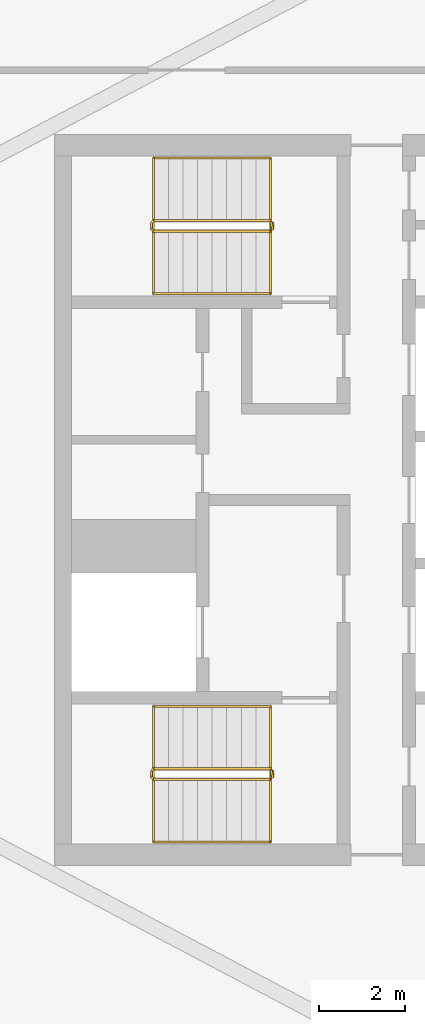
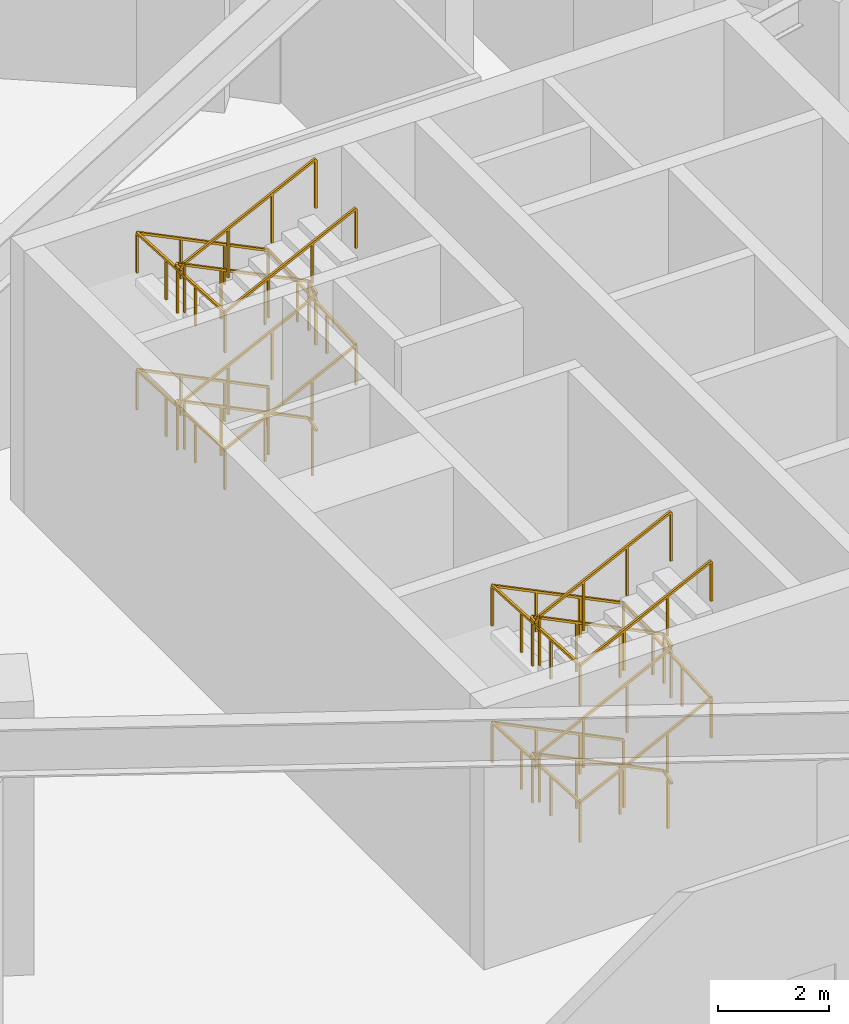
# One storey, part 67 of 74: 4 railings.
"""IFC4 building model written with IfcOpenShell, lengths in metres."""

from ifc_helpers import new_model, si_unit, direction, frame, origin, origin_2d, place, context, subcontext, project, spatial, rectangle, extrude, material, type_object, element, save


model = new_model("IFC4")

# Units and contexts
model_context = context("Model", 3, precision=1e-05, world=origin(), true_north=direction((0.0, 1.0)))
body_context = subcontext(model_context, "Body", "Model", "MODEL_VIEW")
ifc_project = project(units=[si_unit("LENGTHUNIT", "METRE"), si_unit("AREAUNIT", "SQUARE_METRE"), si_unit("VOLUMEUNIT", "CUBIC_METRE"), si_unit("PLANEANGLEUNIT", "RADIAN"), si_unit("MASSUNIT", "GRAM", prefix="KILO")], contexts=[model_context])

# Site, building, storey
site_placement = place(None, origin())
site = spatial("IfcSite", under=ifc_project, at=site_placement, CompositionType="ELEMENT")
building_placement = place(site_placement, origin())
building = spatial("IfcBuilding", under=site, at=building_placement, Name="Noorbagh Ring Tower", CompositionType="ELEMENT")
storey_placement = place(building_placement, frame((0.0, 0.0, 13.5)))
storey = spatial("IfcBuildingStorey", under=building, at=storey_placement, Name="L02", CompositionType="ELEMENT", Elevation=13.5)

# Railings
ifc_material_1 = material(Name="Stainless steel", Category="steel")
railing_type_1 = type_object("IfcRailingType", Name="CORE-STAIR-GUARD", PredefinedType="GUARDRAIL", material=ifc_material_1)
railing_1_placement = place(storey_placement, frame((21.580078125, 6.449951171875, 0.0)))
element("IfcRailing", 1, at=railing_1_placement, inside=storey, type_object=railing_type_1, Name="L02 ST3 stair guard", PredefinedType="GUARDRAIL", context=body_context, shape_type="SweptSolid", body=[
    extrude(rectangle(XDim=0.048095703125, YDim=0.048095703125, at=origin_2d()), frame((0.0, 0.0, 1.076171875), z_axis=(0.0, -1.0, 0.0), x_axis=(1.0, 0.0, 0.0)), (0.0, 0.0, 1.0), 0.14990234375),
    extrude(rectangle(XDim=0.048095703125, YDim=0.048095703125, at=origin_2d()), frame((0.0, -0.14990234375, 1.076171875), z_axis=(-0.188775798145, 0.754182335027, 0.628945707965), x_axis=(-0.970072785993, -0.242814311512, 0.0)), (0.0, 0.0, 1.0), 0.26513671875),
    extrude(rectangle(XDim=0.048095703125, YDim=0.048095703125, at=origin_2d()), frame((-0.050048828125, 0.050048828125, 1.24267578125), z_axis=(-0.897929466783, 0.0, 0.4401393787), x_axis=(0.0, -1.0, 0.0)), (0.0, 0.0, 1.0), 3.029052734375),
    extrude(rectangle(XDim=0.048095703125, YDim=0.048095703125, at=origin_2d()), frame((-2.77001953125, 0.050048828125, 2.576171875), z_axis=(-0.707106781187, -0.707106781187, 0.0), x_axis=(0.707106781187, -0.707106781187, 0.0)), (0.0, 0.0, 1.0), 0.07080078125),
    extrude(rectangle(XDim=0.048095703125, YDim=0.048095703125, at=origin_2d()), frame((-2.820068359375, 0.0, 2.576171875), z_axis=(0.0, -1.0, 0.0), x_axis=(1.0, 0.0, 0.0)), (0.0, 0.0, 1.0), 0.14990234375),
    extrude(rectangle(XDim=0.048095703125, YDim=0.048095703125, at=origin_2d()), frame((-2.820068359375, -0.14990234375, 2.576171875), z_axis=(0.27628659633, -0.27628659633, 0.920506074601), x_axis=(0.707106781187, 0.707106781187, 0.0)), (0.0, 0.0, 1.0), 0.18115234375),
    extrude(rectangle(XDim=0.048095703125, YDim=0.048095703125, at=origin_2d()), frame((-2.77001953125, -0.199951171875, 2.74267578125), z_axis=(0.897929466783, 0.0, 0.4401393787), x_axis=(0.0, 1.0, 0.0)), (0.0, 0.0, 1.0), 3.029052734375),
    extrude(rectangle(XDim=0.048095703125, YDim=0.048095703125, at=origin_2d()), frame((-0.050048828125, -0.199951171875, 4.076171875), z_axis=(0.242814311512, 0.970072785993, 0.0), x_axis=(-0.970072785993, 0.242814311512, 0.0)), (0.0, 0.0, 1.0), 0.2060546875),
    extrude(rectangle(XDim=0.048095703125, YDim=0.048095703125, at=origin_2d()), frame((0.0, 0.0, 4.076171875), z_axis=(0.0, -1.0, 0.0), x_axis=(1.0, 0.0, 0.0)), (0.0, 0.0, 1.0), 0.14990234375),
    extrude(rectangle(XDim=0.048095703125, YDim=0.048095703125, at=origin_2d()), frame((0.0, -0.14990234375, 4.076171875), z_axis=(-0.188775798145, 0.754182335027, 0.628945707965), x_axis=(-0.970072785993, -0.242814311512, 0.0)), (0.0, 0.0, 1.0), 0.26513671875),
    extrude(rectangle(XDim=0.048095703125, YDim=0.048095703125, at=origin_2d()), frame((-0.050048828125, 0.050048828125, 4.24267578125), z_axis=(-0.897929466783, 0.0, 0.4401393787), x_axis=(0.0, -1.0, 0.0)), (0.0, 0.0, 1.0), 3.029052734375),
    extrude(rectangle(XDim=0.048095703125, YDim=0.048095703125, at=origin_2d()), frame((-2.77001953125, 0.050048828125, 5.576171875), z_axis=(-0.707106781187, -0.707106781187, 0.0), x_axis=(0.707106781187, -0.707106781187, 0.0)), (0.0, 0.0, 1.0), 0.07080078125),
    extrude(rectangle(XDim=0.048095703125, YDim=0.048095703125, at=origin_2d()), frame((-2.820068359375, 0.0, 5.576171875), z_axis=(0.0, -1.0, 0.0), x_axis=(1.0, 0.0, 0.0)), (0.0, 0.0, 1.0), 0.14990234375),
    extrude(rectangle(XDim=0.048095703125, YDim=0.048095703125, at=origin_2d()), frame((-2.820068359375, -0.14990234375, 5.576171875), z_axis=(0.27628659633, -0.27628659633, 0.920506074601), x_axis=(0.707106781187, 0.707106781187, 0.0)), (0.0, 0.0, 1.0), 0.18115234375),
    extrude(rectangle(XDim=0.048095703125, YDim=0.048095703125, at=origin_2d()), frame((-2.77001953125, -0.199951171875, 5.74267578125), z_axis=(0.897929466783, 0.0, 0.4401393787), x_axis=(0.0, 1.0, 0.0)), (0.0, 0.0, 1.0), 3.029052734375),
    extrude(rectangle(XDim=0.0419921875, YDim=0.0419921875, at=origin_2d()), origin(), (0.0, 0.0, 1.0), 1.052001953125),
    extrude(rectangle(XDim=0.0419921875, YDim=0.0419921875, at=origin_2d()), frame((-0.956787109375, 0.050048828125, 0.611083984375)), (0.0, 0.0, 1.0), 1.052001953125),
    extrude(rectangle(XDim=0.0419921875, YDim=0.0419921875, at=origin_2d()), frame((-1.86328125, 0.050048828125, 1.0556640625)), (0.0, 0.0, 1.0), 1.052001953125),
    extrude(rectangle(XDim=0.0419921875, YDim=0.0419921875, at=origin_2d()), frame((-2.77001953125, 0.050048828125, 1.5)), (0.0, 0.0, 1.0), 1.052001953125),
    extrude(rectangle(XDim=0.0419921875, YDim=0.0419921875, at=origin_2d()), frame((-2.77001953125, -0.199951171875, 1.666748046875)), (0.0, 0.0, 1.0), 1.052001953125),
    extrude(rectangle(XDim=0.0419921875, YDim=0.0419921875, at=origin_2d()), frame((-1.86328125, -0.199951171875, 2.111083984375)), (0.0, 0.0, 1.0), 1.052001953125),
    extrude(rectangle(XDim=0.0419921875, YDim=0.0419921875, at=origin_2d()), frame((-0.956787109375, -0.199951171875, 2.5556640625)), (0.0, 0.0, 1.0), 1.052001953125),
    extrude(rectangle(XDim=0.0419921875, YDim=0.0419921875, at=origin_2d()), frame((-0.050048828125, -0.199951171875, 3.0)), (0.0, 0.0, 1.0), 1.052001953125),
    extrude(rectangle(XDim=0.0419921875, YDim=0.0419921875, at=origin_2d()), frame((-0.050048828125, 0.050048828125, 3.166748046875)), (0.0, 0.0, 1.0), 1.052001953125),
    extrude(rectangle(XDim=0.0419921875, YDim=0.0419921875, at=origin_2d()), frame((-0.956787109375, 0.050048828125, 3.611083984375)), (0.0, 0.0, 1.0), 1.052001953125),
    extrude(rectangle(XDim=0.0419921875, YDim=0.0419921875, at=origin_2d()), frame((-1.86328125, 0.050048828125, 4.0556640625)), (0.0, 0.0, 1.0), 1.052001953125),
    extrude(rectangle(XDim=0.0419921875, YDim=0.0419921875, at=origin_2d()), frame((-2.77001953125, 0.050048828125, 4.5)), (0.0, 0.0, 1.0), 1.052001953125),
    extrude(rectangle(XDim=0.0419921875, YDim=0.0419921875, at=origin_2d()), frame((-2.77001953125, -0.199951171875, 4.666748046875)), (0.0, 0.0, 1.0), 1.052001953125),
    extrude(rectangle(XDim=0.0419921875, YDim=0.0419921875, at=origin_2d()), frame((-1.86328125, -0.199951171875, 5.111083984375)), (0.0, 0.0, 1.0), 1.052001953125),
    extrude(rectangle(XDim=0.0419921875, YDim=0.0419921875, at=origin_2d()), frame((-0.956787109375, -0.199951171875, 5.5556640625)), (0.0, 0.0, 1.0), 1.052001953125),
    extrude(rectangle(XDim=0.0419921875, YDim=0.0419921875, at=origin_2d()), frame((-0.050048828125, -0.199951171875, 6.0)), (0.0, 0.0, 1.0), 1.052001953125),
])
railing_2_placement = place(storey_placement, frame((21.580078125, -6.300048828125, 0.0)))
element("IfcRailing", 2, at=railing_2_placement, inside=storey, type_object=railing_type_1, Name="L02 ST4 stair guard", PredefinedType="GUARDRAIL", context=body_context, shape_type="SweptSolid", body=[
    extrude(rectangle(XDim=0.048095703125, YDim=0.048095703125, at=origin_2d()), frame((0.0, 0.0, 1.076171875), z_axis=(0.0, -1.0, 0.0), x_axis=(1.0, 0.0, 0.0)), (0.0, 0.0, 1.0), 0.14990234375),
    extrude(rectangle(XDim=0.048095703125, YDim=0.048095703125, at=origin_2d()), frame((0.0, -0.14990234375, 1.076171875), z_axis=(-0.188775798145, 0.754182335027, 0.628945707965), x_axis=(-0.970072785993, -0.242814311512, 0.0)), (0.0, 0.0, 1.0), 0.26513671875),
    extrude(rectangle(XDim=0.048095703125, YDim=0.048095703125, at=origin_2d()), frame((-0.050048828125, 0.050048828125, 1.24267578125), z_axis=(-0.897929466783, 0.0, 0.4401393787), x_axis=(0.0, -1.0, 0.0)), (0.0, 0.0, 1.0), 3.029052734375),
    extrude(rectangle(XDim=0.048095703125, YDim=0.048095703125, at=origin_2d()), frame((-2.77001953125, 0.050048828125, 2.576171875), z_axis=(-0.707106781187, -0.707106781187, 0.0), x_axis=(0.707106781187, -0.707106781187, 0.0)), (0.0, 0.0, 1.0), 0.07080078125),
    extrude(rectangle(XDim=0.048095703125, YDim=0.048095703125, at=origin_2d()), frame((-2.820068359375, 0.0, 2.576171875), z_axis=(0.0, -1.0, 0.0), x_axis=(1.0, 0.0, 0.0)), (0.0, 0.0, 1.0), 0.14990234375),
    extrude(rectangle(XDim=0.048095703125, YDim=0.048095703125, at=origin_2d()), frame((-2.820068359375, -0.14990234375, 2.576171875), z_axis=(0.27628659633, -0.27628659633, 0.920506074601), x_axis=(0.707106781187, 0.707106781187, 0.0)), (0.0, 0.0, 1.0), 0.18115234375),
    extrude(rectangle(XDim=0.048095703125, YDim=0.048095703125, at=origin_2d()), frame((-2.77001953125, -0.199951171875, 2.74267578125), z_axis=(0.897929466783, 0.0, 0.4401393787), x_axis=(0.0, 1.0, 0.0)), (0.0, 0.0, 1.0), 3.029052734375),
    extrude(rectangle(XDim=0.048095703125, YDim=0.048095703125, at=origin_2d()), frame((-0.050048828125, -0.199951171875, 4.076171875), z_axis=(0.242814311512, 0.970072785993, 0.0), x_axis=(-0.970072785993, 0.242814311512, 0.0)), (0.0, 0.0, 1.0), 0.2060546875),
    extrude(rectangle(XDim=0.048095703125, YDim=0.048095703125, at=origin_2d()), frame((0.0, 0.0, 4.076171875), z_axis=(0.0, -1.0, 0.0), x_axis=(1.0, 0.0, 0.0)), (0.0, 0.0, 1.0), 0.14990234375),
    extrude(rectangle(XDim=0.048095703125, YDim=0.048095703125, at=origin_2d()), frame((0.0, -0.14990234375, 4.076171875), z_axis=(-0.188775798145, 0.754182335027, 0.628945707965), x_axis=(-0.970072785993, -0.242814311512, 0.0)), (0.0, 0.0, 1.0), 0.26513671875),
    extrude(rectangle(XDim=0.048095703125, YDim=0.048095703125, at=origin_2d()), frame((-0.050048828125, 0.050048828125, 4.24267578125), z_axis=(-0.897929466783, 0.0, 0.4401393787), x_axis=(0.0, -1.0, 0.0)), (0.0, 0.0, 1.0), 3.029052734375),
    extrude(rectangle(XDim=0.048095703125, YDim=0.048095703125, at=origin_2d()), frame((-2.77001953125, 0.050048828125, 5.576171875), z_axis=(-0.707106781187, -0.707106781187, 0.0), x_axis=(0.707106781187, -0.707106781187, 0.0)), (0.0, 0.0, 1.0), 0.07080078125),
    extrude(rectangle(XDim=0.048095703125, YDim=0.048095703125, at=origin_2d()), frame((-2.820068359375, 0.0, 5.576171875), z_axis=(0.0, -1.0, 0.0), x_axis=(1.0, 0.0, 0.0)), (0.0, 0.0, 1.0), 0.14990234375),
    extrude(rectangle(XDim=0.048095703125, YDim=0.048095703125, at=origin_2d()), frame((-2.820068359375, -0.14990234375, 5.576171875), z_axis=(0.27628659633, -0.27628659633, 0.920506074601), x_axis=(0.707106781187, 0.707106781187, 0.0)), (0.0, 0.0, 1.0), 0.18115234375),
    extrude(rectangle(XDim=0.048095703125, YDim=0.048095703125, at=origin_2d()), frame((-2.77001953125, -0.199951171875, 5.74267578125), z_axis=(0.897929466783, 0.0, 0.4401393787), x_axis=(0.0, 1.0, 0.0)), (0.0, 0.0, 1.0), 3.029052734375),
    extrude(rectangle(XDim=0.0419921875, YDim=0.0419921875, at=origin_2d()), origin(), (0.0, 0.0, 1.0), 1.052001953125),
    extrude(rectangle(XDim=0.0419921875, YDim=0.0419921875, at=origin_2d()), frame((-0.956787109375, 0.050048828125, 0.611083984375)), (0.0, 0.0, 1.0), 1.052001953125),
    extrude(rectangle(XDim=0.0419921875, YDim=0.0419921875, at=origin_2d()), frame((-1.86328125, 0.050048828125, 1.0556640625)), (0.0, 0.0, 1.0), 1.052001953125),
    extrude(rectangle(XDim=0.0419921875, YDim=0.0419921875, at=origin_2d()), frame((-2.77001953125, 0.050048828125, 1.5)), (0.0, 0.0, 1.0), 1.052001953125),
    extrude(rectangle(XDim=0.0419921875, YDim=0.0419921875, at=origin_2d()), frame((-2.77001953125, -0.199951171875, 1.666748046875)), (0.0, 0.0, 1.0), 1.052001953125),
    extrude(rectangle(XDim=0.0419921875, YDim=0.0419921875, at=origin_2d()), frame((-1.86328125, -0.199951171875, 2.111083984375)), (0.0, 0.0, 1.0), 1.052001953125),
    extrude(rectangle(XDim=0.0419921875, YDim=0.0419921875, at=origin_2d()), frame((-0.956787109375, -0.199951171875, 2.5556640625)), (0.0, 0.0, 1.0), 1.052001953125),
    extrude(rectangle(XDim=0.0419921875, YDim=0.0419921875, at=origin_2d()), frame((-0.050048828125, -0.199951171875, 3.0)), (0.0, 0.0, 1.0), 1.052001953125),
    extrude(rectangle(XDim=0.0419921875, YDim=0.0419921875, at=origin_2d()), frame((-0.050048828125, 0.050048828125, 3.166748046875)), (0.0, 0.0, 1.0), 1.052001953125),
    extrude(rectangle(XDim=0.0419921875, YDim=0.0419921875, at=origin_2d()), frame((-0.956787109375, 0.050048828125, 3.611083984375)), (0.0, 0.0, 1.0), 1.052001953125),
    extrude(rectangle(XDim=0.0419921875, YDim=0.0419921875, at=origin_2d()), frame((-1.86328125, 0.050048828125, 4.0556640625)), (0.0, 0.0, 1.0), 1.052001953125),
    extrude(rectangle(XDim=0.0419921875, YDim=0.0419921875, at=origin_2d()), frame((-2.77001953125, 0.050048828125, 4.5)), (0.0, 0.0, 1.0), 1.052001953125),
    extrude(rectangle(XDim=0.0419921875, YDim=0.0419921875, at=origin_2d()), frame((-2.77001953125, -0.199951171875, 4.666748046875)), (0.0, 0.0, 1.0), 1.052001953125),
    extrude(rectangle(XDim=0.0419921875, YDim=0.0419921875, at=origin_2d()), frame((-1.86328125, -0.199951171875, 5.111083984375)), (0.0, 0.0, 1.0), 1.052001953125),
    extrude(rectangle(XDim=0.0419921875, YDim=0.0419921875, at=origin_2d()), frame((-0.956787109375, -0.199951171875, 5.5556640625)), (0.0, 0.0, 1.0), 1.052001953125),
    extrude(rectangle(XDim=0.0419921875, YDim=0.0419921875, at=origin_2d()), frame((-0.050048828125, -0.199951171875, 6.0)), (0.0, 0.0, 1.0), 1.052001953125),
])
ifc_material_2 = material(Name="Stainless steel", Category="steel")
railing_type_2 = type_object("IfcRailingType", Name="CORE-STAIR-HANDRAIL", PredefinedType="HANDRAIL", material=ifc_material_2)
railing_3_placement = place(storey_placement, frame((21.530029296875, 7.949951171875, 0.166748046875)))
element("IfcRailing", 3, at=railing_3_placement, inside=storey, type_object=railing_type_2, Name="L02 ST3 stair handrail", PredefinedType="HANDRAIL", context=body_context, shape_type="SweptSolid", body=[
    extrude(rectangle(XDim=0.048095703125, YDim=0.048095703125, at=origin_2d()), frame((0.0, 0.0, 0.8759765625), z_axis=(-0.897929466783, 0.0, 0.4401393787), x_axis=(0.0, -1.0, 0.0)), (0.0, 0.0, 1.0), 3.029052734375),
    extrude(rectangle(XDim=0.048095703125, YDim=0.048095703125, at=origin_2d()), frame((-2.719970703125, 0.0, 2.208984375), z_axis=(0.0, -0.998601747152, 0.052863509014), x_axis=(1.0, 0.0, 0.0)), (0.0, 0.0, 1.0), 3.154296875),
    extrude(rectangle(XDim=0.048095703125, YDim=0.048095703125, at=origin_2d()), frame((-2.719970703125, -3.14990234375, 2.3759765625), z_axis=(0.897929466783, 0.0, 0.4401393787), x_axis=(0.0, 1.0, 0.0)), (0.0, 0.0, 1.0), 3.029052734375),
    extrude(rectangle(XDim=0.048095703125, YDim=0.048095703125, at=origin_2d()), frame((0.0, -3.14990234375, 3.708984375), z_axis=(0.0, 0.998601747152, 0.052863509014), x_axis=(-1.0, 0.0, 0.0)), (0.0, 0.0, 1.0), 3.154296875),
    extrude(rectangle(XDim=0.048095703125, YDim=0.048095703125, at=origin_2d()), frame((0.0, 0.0, 3.8759765625), z_axis=(-0.897929466783, 0.0, 0.4401393787), x_axis=(0.0, -1.0, 0.0)), (0.0, 0.0, 1.0), 3.029052734375),
    extrude(rectangle(XDim=0.048095703125, YDim=0.048095703125, at=origin_2d()), frame((-2.719970703125, 0.0, 5.208984375), z_axis=(0.0, -0.998601747152, 0.052863509014), x_axis=(1.0, 0.0, 0.0)), (0.0, 0.0, 1.0), 3.154296875),
    extrude(rectangle(XDim=0.048095703125, YDim=0.048095703125, at=origin_2d()), frame((-2.719970703125, -3.14990234375, 5.3759765625), z_axis=(0.897929466783, 0.0, 0.4401393787), x_axis=(0.0, 1.0, 0.0)), (0.0, 0.0, 1.0), 3.029052734375),
    extrude(rectangle(XDim=0.0419921875, YDim=0.0419921875, at=origin_2d()), origin(), (0.0, 0.0, 1.0), 0.851806640625),
    extrude(rectangle(XDim=0.0419921875, YDim=0.0419921875, at=origin_2d()), frame((-0.90673828125, 0.0, 0.4443359375)), (0.0, 0.0, 1.0), 0.851806640625),
    extrude(rectangle(XDim=0.0419921875, YDim=0.0419921875, at=origin_2d()), frame((-1.813232421875, 0.0, 0.888916015625)), (0.0, 0.0, 1.0), 0.851806640625),
    extrude(rectangle(XDim=0.0419921875, YDim=0.0419921875, at=origin_2d()), frame((-2.719970703125, 0.0, 1.333251953125)), (0.0, 0.0, 1.0), 0.851806640625),
    extrude(rectangle(XDim=0.0419921875, YDim=0.0419921875, at=origin_2d()), frame((-2.719970703125, -1.050048828125, 1.388916015625)), (0.0, 0.0, 1.0), 0.851806640625),
    extrude(rectangle(XDim=0.0419921875, YDim=0.0419921875, at=origin_2d()), frame((-2.719970703125, -2.099853515625, 1.4443359375)), (0.0, 0.0, 1.0), 0.851806640625),
    extrude(rectangle(XDim=0.0419921875, YDim=0.0419921875, at=origin_2d()), frame((-2.719970703125, -3.14990234375, 1.5)), (0.0, 0.0, 1.0), 0.851806640625),
    extrude(rectangle(XDim=0.0419921875, YDim=0.0419921875, at=origin_2d()), frame((-1.813232421875, -3.14990234375, 1.9443359375)), (0.0, 0.0, 1.0), 0.851806640625),
    extrude(rectangle(XDim=0.0419921875, YDim=0.0419921875, at=origin_2d()), frame((-0.90673828125, -3.14990234375, 2.388916015625)), (0.0, 0.0, 1.0), 0.851806640625),
    extrude(rectangle(XDim=0.0419921875, YDim=0.0419921875, at=origin_2d()), frame((0.0, -3.14990234375, 2.833251953125)), (0.0, 0.0, 1.0), 0.851806640625),
    extrude(rectangle(XDim=0.0419921875, YDim=0.0419921875, at=origin_2d()), frame((0.0, -2.099853515625, 2.888916015625)), (0.0, 0.0, 1.0), 0.851806640625),
    extrude(rectangle(XDim=0.0419921875, YDim=0.0419921875, at=origin_2d()), frame((0.0, -1.050048828125, 2.9443359375)), (0.0, 0.0, 1.0), 0.851806640625),
    extrude(rectangle(XDim=0.0419921875, YDim=0.0419921875, at=origin_2d()), frame((0.0, 0.0, 3.0)), (0.0, 0.0, 1.0), 0.851806640625),
    extrude(rectangle(XDim=0.0419921875, YDim=0.0419921875, at=origin_2d()), frame((-0.90673828125, 0.0, 3.4443359375)), (0.0, 0.0, 1.0), 0.851806640625),
    extrude(rectangle(XDim=0.0419921875, YDim=0.0419921875, at=origin_2d()), frame((-1.813232421875, 0.0, 3.888916015625)), (0.0, 0.0, 1.0), 0.851806640625),
    extrude(rectangle(XDim=0.0419921875, YDim=0.0419921875, at=origin_2d()), frame((-2.719970703125, 0.0, 4.333251953125)), (0.0, 0.0, 1.0), 0.851806640625),
    extrude(rectangle(XDim=0.0419921875, YDim=0.0419921875, at=origin_2d()), frame((-2.719970703125, -1.050048828125, 4.388916015625)), (0.0, 0.0, 1.0), 0.851806640625),
    extrude(rectangle(XDim=0.0419921875, YDim=0.0419921875, at=origin_2d()), frame((-2.719970703125, -2.099853515625, 4.4443359375)), (0.0, 0.0, 1.0), 0.851806640625),
    extrude(rectangle(XDim=0.0419921875, YDim=0.0419921875, at=origin_2d()), frame((-2.719970703125, -3.14990234375, 4.5)), (0.0, 0.0, 1.0), 0.851806640625),
    extrude(rectangle(XDim=0.0419921875, YDim=0.0419921875, at=origin_2d()), frame((-1.813232421875, -3.14990234375, 4.9443359375)), (0.0, 0.0, 1.0), 0.851806640625),
    extrude(rectangle(XDim=0.0419921875, YDim=0.0419921875, at=origin_2d()), frame((-0.90673828125, -3.14990234375, 5.388916015625)), (0.0, 0.0, 1.0), 0.851806640625),
    extrude(rectangle(XDim=0.0419921875, YDim=0.0419921875, at=origin_2d()), frame((0.0, -3.14990234375, 5.833251953125)), (0.0, 0.0, 1.0), 0.851806640625),
])
railing_4_placement = place(storey_placement, frame((21.530029296875, -4.800048828125, 0.166748046875)))
element("IfcRailing", 4, at=railing_4_placement, inside=storey, type_object=railing_type_2, Name="L02 ST4 stair handrail", PredefinedType="HANDRAIL", context=body_context, shape_type="SweptSolid", body=[
    extrude(rectangle(XDim=0.048095703125, YDim=0.048095703125, at=origin_2d()), frame((0.0, 0.0, 0.8759765625), z_axis=(-0.897929466783, 0.0, 0.4401393787), x_axis=(0.0, -1.0, 0.0)), (0.0, 0.0, 1.0), 3.029052734375),
    extrude(rectangle(XDim=0.048095703125, YDim=0.048095703125, at=origin_2d()), frame((-2.719970703125, 0.0, 2.208984375), z_axis=(0.0, -0.998601747152, 0.052863509014), x_axis=(1.0, 0.0, 0.0)), (0.0, 0.0, 1.0), 3.154296875),
    extrude(rectangle(XDim=0.048095703125, YDim=0.048095703125, at=origin_2d()), frame((-2.719970703125, -3.14990234375, 2.3759765625), z_axis=(0.897929466783, 0.0, 0.4401393787), x_axis=(0.0, 1.0, 0.0)), (0.0, 0.0, 1.0), 3.029052734375),
    extrude(rectangle(XDim=0.048095703125, YDim=0.048095703125, at=origin_2d()), frame((0.0, -3.14990234375, 3.708984375), z_axis=(0.0, 0.998601747152, 0.052863509014), x_axis=(-1.0, 0.0, 0.0)), (0.0, 0.0, 1.0), 3.154296875),
    extrude(rectangle(XDim=0.048095703125, YDim=0.048095703125, at=origin_2d()), frame((0.0, 0.0, 3.8759765625), z_axis=(-0.897929466783, 0.0, 0.4401393787), x_axis=(0.0, -1.0, 0.0)), (0.0, 0.0, 1.0), 3.029052734375),
    extrude(rectangle(XDim=0.048095703125, YDim=0.048095703125, at=origin_2d()), frame((-2.719970703125, 0.0, 5.208984375), z_axis=(0.0, -0.998601747152, 0.052863509014), x_axis=(1.0, 0.0, 0.0)), (0.0, 0.0, 1.0), 3.154296875),
    extrude(rectangle(XDim=0.048095703125, YDim=0.048095703125, at=origin_2d()), frame((-2.719970703125, -3.14990234375, 5.3759765625), z_axis=(0.897929466783, 0.0, 0.4401393787), x_axis=(0.0, 1.0, 0.0)), (0.0, 0.0, 1.0), 3.029052734375),
    extrude(rectangle(XDim=0.0419921875, YDim=0.0419921875, at=origin_2d()), origin(), (0.0, 0.0, 1.0), 0.851806640625),
    extrude(rectangle(XDim=0.0419921875, YDim=0.0419921875, at=origin_2d()), frame((-0.90673828125, 0.0, 0.4443359375)), (0.0, 0.0, 1.0), 0.851806640625),
    extrude(rectangle(XDim=0.0419921875, YDim=0.0419921875, at=origin_2d()), frame((-1.813232421875, 0.0, 0.888916015625)), (0.0, 0.0, 1.0), 0.851806640625),
    extrude(rectangle(XDim=0.0419921875, YDim=0.0419921875, at=origin_2d()), frame((-2.719970703125, 0.0, 1.333251953125)), (0.0, 0.0, 1.0), 0.851806640625),
    extrude(rectangle(XDim=0.0419921875, YDim=0.0419921875, at=origin_2d()), frame((-2.719970703125, -1.050048828125, 1.388916015625)), (0.0, 0.0, 1.0), 0.851806640625),
    extrude(rectangle(XDim=0.0419921875, YDim=0.0419921875, at=origin_2d()), frame((-2.719970703125, -2.099853515625, 1.4443359375)), (0.0, 0.0, 1.0), 0.851806640625),
    extrude(rectangle(XDim=0.0419921875, YDim=0.0419921875, at=origin_2d()), frame((-2.719970703125, -3.14990234375, 1.5)), (0.0, 0.0, 1.0), 0.851806640625),
    extrude(rectangle(XDim=0.0419921875, YDim=0.0419921875, at=origin_2d()), frame((-1.813232421875, -3.14990234375, 1.9443359375)), (0.0, 0.0, 1.0), 0.851806640625),
    extrude(rectangle(XDim=0.0419921875, YDim=0.0419921875, at=origin_2d()), frame((-0.90673828125, -3.14990234375, 2.388916015625)), (0.0, 0.0, 1.0), 0.851806640625),
    extrude(rectangle(XDim=0.0419921875, YDim=0.0419921875, at=origin_2d()), frame((0.0, -3.14990234375, 2.833251953125)), (0.0, 0.0, 1.0), 0.851806640625),
    extrude(rectangle(XDim=0.0419921875, YDim=0.0419921875, at=origin_2d()), frame((0.0, -2.099853515625, 2.888916015625)), (0.0, 0.0, 1.0), 0.851806640625),
    extrude(rectangle(XDim=0.0419921875, YDim=0.0419921875, at=origin_2d()), frame((0.0, -1.050048828125, 2.9443359375)), (0.0, 0.0, 1.0), 0.851806640625),
    extrude(rectangle(XDim=0.0419921875, YDim=0.0419921875, at=origin_2d()), frame((0.0, 0.0, 3.0)), (0.0, 0.0, 1.0), 0.851806640625),
    extrude(rectangle(XDim=0.0419921875, YDim=0.0419921875, at=origin_2d()), frame((-0.90673828125, 0.0, 3.4443359375)), (0.0, 0.0, 1.0), 0.851806640625),
    extrude(rectangle(XDim=0.0419921875, YDim=0.0419921875, at=origin_2d()), frame((-1.813232421875, 0.0, 3.888916015625)), (0.0, 0.0, 1.0), 0.851806640625),
    extrude(rectangle(XDim=0.0419921875, YDim=0.0419921875, at=origin_2d()), frame((-2.719970703125, 0.0, 4.333251953125)), (0.0, 0.0, 1.0), 0.851806640625),
    extrude(rectangle(XDim=0.0419921875, YDim=0.0419921875, at=origin_2d()), frame((-2.719970703125, -1.050048828125, 4.388916015625)), (0.0, 0.0, 1.0), 0.851806640625),
    extrude(rectangle(XDim=0.0419921875, YDim=0.0419921875, at=origin_2d()), frame((-2.719970703125, -2.099853515625, 4.4443359375)), (0.0, 0.0, 1.0), 0.851806640625),
    extrude(rectangle(XDim=0.0419921875, YDim=0.0419921875, at=origin_2d()), frame((-2.719970703125, -3.14990234375, 4.5)), (0.0, 0.0, 1.0), 0.851806640625),
    extrude(rectangle(XDim=0.0419921875, YDim=0.0419921875, at=origin_2d()), frame((-1.813232421875, -3.14990234375, 4.9443359375)), (0.0, 0.0, 1.0), 0.851806640625),
    extrude(rectangle(XDim=0.0419921875, YDim=0.0419921875, at=origin_2d()), frame((-0.90673828125, -3.14990234375, 5.388916015625)), (0.0, 0.0, 1.0), 0.851806640625),
    extrude(rectangle(XDim=0.0419921875, YDim=0.0419921875, at=origin_2d()), frame((0.0, -3.14990234375, 5.833251953125)), (0.0, 0.0, 1.0), 0.851806640625),
])

save(model, "model.ifc")
